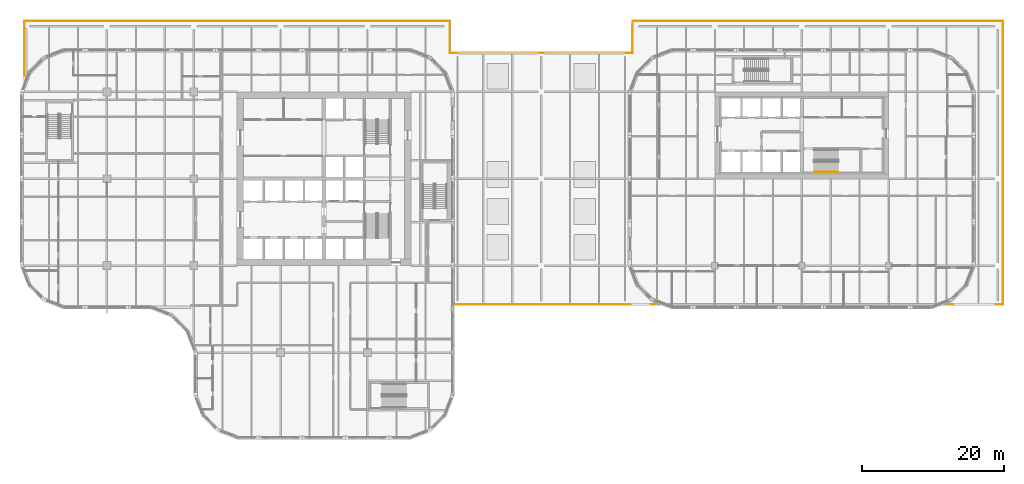
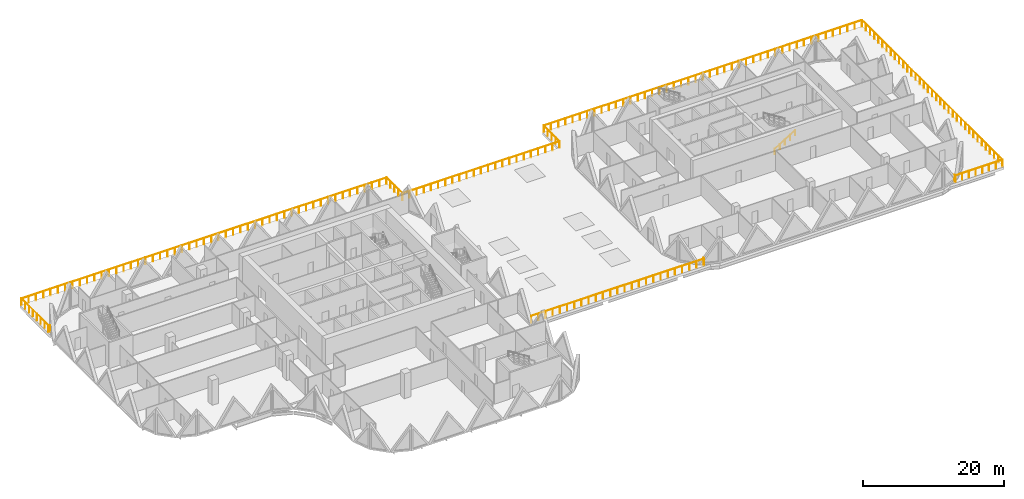
# One storey, part 20 of 21: 3 railings.
"""IFC4 building model written with IfcOpenShell, lengths in metres."""

from ifc_helpers import new_model, si_unit, direction, frame, origin, origin_2d, place, context, subcontext, project, spatial, circle, extrude, material, type_object, element, save


model = new_model("IFC4")

# Units and contexts
model_context = context("Model", 3, precision=1e-05, world=origin(), true_north=direction((0.0, 1.0)))
body_context = subcontext(model_context, "Body", "Model", "MODEL_VIEW")
ifc_project = project(units=[si_unit("LENGTHUNIT", "METRE"), si_unit("AREAUNIT", "SQUARE_METRE"), si_unit("VOLUMEUNIT", "CUBIC_METRE"), si_unit("PLANEANGLEUNIT", "RADIAN"), si_unit("MASSUNIT", "GRAM", prefix="KILO")], contexts=[model_context])

# Site, building, storey
site_placement = place(None, origin())
site = spatial("IfcSite", under=ifc_project, at=site_placement, CompositionType="ELEMENT")
building_placement = place(site_placement, origin())
building = spatial("IfcBuilding", under=site, at=building_placement, Name="Tessera Gate Towers", CompositionType="ELEMENT")
storey_placement = place(building_placement, frame((0.0, 0.0, 16.800048828125)))
storey = spatial("IfcBuildingStorey", under=building, at=storey_placement, Name="L03", CompositionType="ELEMENT", Elevation=16.800048828125)

# Railings
ifc_material_1 = material(Name="Stainless steel balustrade", Category="steel")
railing_type_1 = type_object("IfcRailingType", Name="GR1 guard rail", PredefinedType="GUARDRAIL", material=ifc_material_1)
railing_1_placement = place(storey_placement, frame((0.848388671875, 50.9990234375, 0.0)))
element("IfcRailing", 1, at=railing_1_placement, inside=storey, type_object=railing_type_1, Name="Guard PD GR-0001", PredefinedType="GUARDRAIL", context=body_context, shape_type="SweptSolid", body=[
    extrude(circle(Radius=0.02490234375, at=origin_2d()), frame((0.0, 0.0, 1.1748046875), z_axis=(-0.932841961035, 0.360285825049, 0.0), x_axis=(-0.360285825049, -0.932841961035, 0.0)), (0.0, 0.0, 1.0), 0.212890625),
    extrude(circle(Radius=0.02490234375, at=origin_2d()), frame((-0.198486328125, 0.07666015625, 1.1748046875), z_axis=(0.0, 1.0, 0.0), x_axis=(-1.0, 0.0, 0.0)), (0.0, 0.0, 1.0), 7.67431640625),
    extrude(circle(Radius=0.02490234375, at=origin_2d()), frame((-0.198486328125, 7.7509765625, 1.1748046875), z_axis=(1.0, 0.0, 0.0), x_axis=(0.0, 1.0, 0.0)), (0.0, 0.0, 1.0), 59.7001953125),
    extrude(circle(Radius=0.02490234375, at=origin_2d()), frame((59.501708984375, 7.7509765625, 1.1748046875), z_axis=(0.0, -1.0, 0.0), x_axis=(1.0, 0.0, 0.0)), (0.0, 0.0, 1.0), 4.48193359375),
    extrude(circle(Radius=0.02490234375, at=origin_2d()), frame((59.501708984375, 3.26904296875, 1.1748046875), z_axis=(0.999999752566, -0.000703468688, 0.0), x_axis=(0.000703468688, 0.999999752566, 0.0)), (0.0, 0.0, 1.0), 25.681884765625),
    extrude(circle(Radius=0.02490234375, at=origin_2d()), frame((85.18359375, 3.2509765625, 1.1748046875), z_axis=(0.004014724589, 0.999991940961, 0.0), x_axis=(-0.999991940961, 0.004014724589, 0.0)), (0.0, 0.0, 1.0), 4.5),
    extrude(circle(Radius=0.02490234375, at=origin_2d()), frame((85.20166015625, 7.7509765625, 1.1748046875), z_axis=(1.0, 0.0, 0.0), x_axis=(0.0, 1.0, 0.0)), (0.0, 0.0, 1.0), 52.0),
    extrude(circle(Radius=0.02490234375, at=origin_2d()), frame((137.20166015625, 7.7509765625, 1.1748046875), z_axis=(0.0, -1.0, 0.0), x_axis=(1.0, 0.0, 0.0)), (0.0, 0.0, 1.0), 39.800048828125),
    extrude(circle(Radius=0.02490234375, at=origin_2d()), frame((137.20166015625, -32.049072265625, 1.1748046875), z_axis=(-1.0, 0.0, 0.0), x_axis=(0.0, -1.0, 0.0)), (0.0, 0.0, 1.0), 7.67431640625),
    extrude(circle(Radius=0.02490234375, at=origin_2d()), frame((129.52734375, -32.049072265625, 1.1748046875), z_axis=(-0.360285825049, 0.932841961035, 0.0), x_axis=(-0.932841961035, -0.360285825049, 0.0)), (0.0, 0.0, 1.0), 0.212890625),
    extrude(circle(Radius=0.02490234375, at=origin_2d()), origin(), (0.0, 0.0, 1.0), 1.14990234375),
    extrude(circle(Radius=0.02490234375, at=origin_2d()), frame((-0.198486328125, 0.07666015625, 0.0)), (0.0, 0.0, 1.0), 1.14990234375),
    extrude(circle(Radius=0.02490234375, at=origin_2d()), frame((-0.198486328125, 1.173095703125, 0.0)), (0.0, 0.0, 1.0), 1.14990234375),
    extrude(circle(Radius=0.02490234375, at=origin_2d()), frame((-0.198486328125, 2.269287109375, 0.0)), (0.0, 0.0, 1.0), 1.14990234375),
    extrude(circle(Radius=0.02490234375, at=origin_2d()), frame((-0.198486328125, 3.36572265625, 0.0)), (0.0, 0.0, 1.0), 1.14990234375),
    extrude(circle(Radius=0.02490234375, at=origin_2d()), frame((-0.198486328125, 4.4619140625, 0.0)), (0.0, 0.0, 1.0), 1.14990234375),
    extrude(circle(Radius=0.02490234375, at=origin_2d()), frame((-0.198486328125, 5.558349609375, 0.0)), (0.0, 0.0, 1.0), 1.14990234375),
    extrude(circle(Radius=0.02490234375, at=origin_2d()), frame((-0.198486328125, 6.654541015625, 0.0)), (0.0, 0.0, 1.0), 1.14990234375),
    extrude(circle(Radius=0.02490234375, at=origin_2d()), frame((-0.198486328125, 7.7509765625, 0.0)), (0.0, 0.0, 1.0), 1.14990234375),
    extrude(circle(Radius=0.02490234375, at=origin_2d()), frame((0.99560546875, 7.7509765625, 0.0)), (0.0, 0.0, 1.0), 1.14990234375),
    extrude(circle(Radius=0.02490234375, at=origin_2d()), frame((2.189453125, 7.7509765625, 0.0)), (0.0, 0.0, 1.0), 1.14990234375),
    extrude(circle(Radius=0.02490234375, at=origin_2d()), frame((3.383544921875, 7.7509765625, 0.0)), (0.0, 0.0, 1.0), 1.14990234375),
    extrude(circle(Radius=0.02490234375, at=origin_2d()), frame((4.57763671875, 7.7509765625, 0.0)), (0.0, 0.0, 1.0), 1.14990234375),
    extrude(circle(Radius=0.02490234375, at=origin_2d()), frame((5.771484375, 7.7509765625, 0.0)), (0.0, 0.0, 1.0), 1.14990234375),
    extrude(circle(Radius=0.02490234375, at=origin_2d()), frame((6.965576171875, 7.7509765625, 0.0)), (0.0, 0.0, 1.0), 1.14990234375),
    extrude(circle(Radius=0.02490234375, at=origin_2d()), frame((8.159423828125, 7.7509765625, 0.0)), (0.0, 0.0, 1.0), 1.14990234375),
    extrude(circle(Radius=0.02490234375, at=origin_2d()), frame((9.353515625, 7.7509765625, 0.0)), (0.0, 0.0, 1.0), 1.14990234375),
    extrude(circle(Radius=0.02490234375, at=origin_2d()), frame((10.547607421875, 7.7509765625, 0.0)), (0.0, 0.0, 1.0), 1.14990234375),
    extrude(circle(Radius=0.02490234375, at=origin_2d()), frame((11.741455078125, 7.7509765625, 0.0)), (0.0, 0.0, 1.0), 1.14990234375),
    extrude(circle(Radius=0.02490234375, at=origin_2d()), frame((12.935546875, 7.7509765625, 0.0)), (0.0, 0.0, 1.0), 1.14990234375),
    extrude(circle(Radius=0.02490234375, at=origin_2d()), frame((14.129638671875, 7.7509765625, 0.0)), (0.0, 0.0, 1.0), 1.14990234375),
    extrude(circle(Radius=0.02490234375, at=origin_2d()), frame((15.323486328125, 7.7509765625, 0.0)), (0.0, 0.0, 1.0), 1.14990234375),
    extrude(circle(Radius=0.02490234375, at=origin_2d()), frame((16.517578125, 7.7509765625, 0.0)), (0.0, 0.0, 1.0), 1.14990234375),
    extrude(circle(Radius=0.02490234375, at=origin_2d()), frame((17.711669921875, 7.7509765625, 0.0)), (0.0, 0.0, 1.0), 1.14990234375),
    extrude(circle(Radius=0.02490234375, at=origin_2d()), frame((18.905517578125, 7.7509765625, 0.0)), (0.0, 0.0, 1.0), 1.14990234375),
    extrude(circle(Radius=0.02490234375, at=origin_2d()), frame((20.099609375, 7.7509765625, 0.0)), (0.0, 0.0, 1.0), 1.14990234375),
    extrude(circle(Radius=0.02490234375, at=origin_2d()), frame((21.293701171875, 7.7509765625, 0.0)), (0.0, 0.0, 1.0), 1.14990234375),
    extrude(circle(Radius=0.02490234375, at=origin_2d()), frame((22.487548828125, 7.7509765625, 0.0)), (0.0, 0.0, 1.0), 1.14990234375),
    extrude(circle(Radius=0.02490234375, at=origin_2d()), frame((23.681640625, 7.7509765625, 0.0)), (0.0, 0.0, 1.0), 1.14990234375),
    extrude(circle(Radius=0.02490234375, at=origin_2d()), frame((24.87548828125, 7.7509765625, 0.0)), (0.0, 0.0, 1.0), 1.14990234375),
    extrude(circle(Radius=0.02490234375, at=origin_2d()), frame((26.069580078125, 7.7509765625, 0.0)), (0.0, 0.0, 1.0), 1.14990234375),
    extrude(circle(Radius=0.02490234375, at=origin_2d()), frame((27.263671875, 7.7509765625, 0.0)), (0.0, 0.0, 1.0), 1.14990234375),
    extrude(circle(Radius=0.02490234375, at=origin_2d()), frame((28.45751953125, 7.7509765625, 0.0)), (0.0, 0.0, 1.0), 1.14990234375),
    extrude(circle(Radius=0.02490234375, at=origin_2d()), frame((29.651611328125, 7.7509765625, 0.0)), (0.0, 0.0, 1.0), 1.14990234375),
    extrude(circle(Radius=0.02490234375, at=origin_2d()), frame((30.845703125, 7.7509765625, 0.0)), (0.0, 0.0, 1.0), 1.14990234375),
    extrude(circle(Radius=0.02490234375, at=origin_2d()), frame((32.03955078125, 7.7509765625, 0.0)), (0.0, 0.0, 1.0), 1.14990234375),
    extrude(circle(Radius=0.02490234375, at=origin_2d()), frame((33.233642578125, 7.7509765625, 0.0)), (0.0, 0.0, 1.0), 1.14990234375),
    extrude(circle(Radius=0.02490234375, at=origin_2d()), frame((34.427734375, 7.7509765625, 0.0)), (0.0, 0.0, 1.0), 1.14990234375),
    extrude(circle(Radius=0.02490234375, at=origin_2d()), frame((35.62158203125, 7.7509765625, 0.0)), (0.0, 0.0, 1.0), 1.14990234375),
    extrude(circle(Radius=0.02490234375, at=origin_2d()), frame((36.815673828125, 7.7509765625, 0.0)), (0.0, 0.0, 1.0), 1.14990234375),
    extrude(circle(Radius=0.02490234375, at=origin_2d()), frame((38.009521484375, 7.7509765625, 0.0)), (0.0, 0.0, 1.0), 1.14990234375),
    extrude(circle(Radius=0.02490234375, at=origin_2d()), frame((39.20361328125, 7.7509765625, 0.0)), (0.0, 0.0, 1.0), 1.14990234375),
    extrude(circle(Radius=0.02490234375, at=origin_2d()), frame((40.397705078125, 7.7509765625, 0.0)), (0.0, 0.0, 1.0), 1.14990234375),
    extrude(circle(Radius=0.02490234375, at=origin_2d()), frame((41.591552734375, 7.7509765625, 0.0)), (0.0, 0.0, 1.0), 1.14990234375),
    extrude(circle(Radius=0.02490234375, at=origin_2d()), frame((42.78564453125, 7.7509765625, 0.0)), (0.0, 0.0, 1.0), 1.14990234375),
    extrude(circle(Radius=0.02490234375, at=origin_2d()), frame((43.979736328125, 7.7509765625, 0.0)), (0.0, 0.0, 1.0), 1.14990234375),
    extrude(circle(Radius=0.02490234375, at=origin_2d()), frame((45.173583984375, 7.7509765625, 0.0)), (0.0, 0.0, 1.0), 1.14990234375),
    extrude(circle(Radius=0.02490234375, at=origin_2d()), frame((46.36767578125, 7.7509765625, 0.0)), (0.0, 0.0, 1.0), 1.14990234375),
    extrude(circle(Radius=0.02490234375, at=origin_2d()), frame((47.561767578125, 7.7509765625, 0.0)), (0.0, 0.0, 1.0), 1.14990234375),
    extrude(circle(Radius=0.02490234375, at=origin_2d()), frame((48.755615234375, 7.7509765625, 0.0)), (0.0, 0.0, 1.0), 1.14990234375),
    extrude(circle(Radius=0.02490234375, at=origin_2d()), frame((49.94970703125, 7.7509765625, 0.0)), (0.0, 0.0, 1.0), 1.14990234375),
    extrude(circle(Radius=0.02490234375, at=origin_2d()), frame((51.143798828125, 7.7509765625, 0.0)), (0.0, 0.0, 1.0), 1.14990234375),
    extrude(circle(Radius=0.02490234375, at=origin_2d()), frame((52.337646484375, 7.7509765625, 0.0)), (0.0, 0.0, 1.0), 1.14990234375),
    extrude(circle(Radius=0.02490234375, at=origin_2d()), frame((53.53173828125, 7.7509765625, 0.0)), (0.0, 0.0, 1.0), 1.14990234375),
    extrude(circle(Radius=0.02490234375, at=origin_2d()), frame((54.7255859375, 7.7509765625, 0.0)), (0.0, 0.0, 1.0), 1.14990234375),
    extrude(circle(Radius=0.02490234375, at=origin_2d()), frame((55.919677734375, 7.7509765625, 0.0)), (0.0, 0.0, 1.0), 1.14990234375),
    extrude(circle(Radius=0.02490234375, at=origin_2d()), frame((57.11376953125, 7.7509765625, 0.0)), (0.0, 0.0, 1.0), 1.14990234375),
    extrude(circle(Radius=0.02490234375, at=origin_2d()), frame((58.3076171875, 7.7509765625, 0.0)), (0.0, 0.0, 1.0), 1.14990234375),
    extrude(circle(Radius=0.02490234375, at=origin_2d()), frame((59.501708984375, 7.7509765625, 0.0)), (0.0, 0.0, 1.0), 1.14990234375),
    extrude(circle(Radius=0.02490234375, at=origin_2d()), frame((59.501708984375, 6.63037109375, 0.0)), (0.0, 0.0, 1.0), 1.14990234375),
    extrude(circle(Radius=0.02490234375, at=origin_2d()), frame((59.501708984375, 5.510009765625, 0.0)), (0.0, 0.0, 1.0), 1.14990234375),
    extrude(circle(Radius=0.02490234375, at=origin_2d()), frame((59.501708984375, 4.3896484375, 0.0)), (0.0, 0.0, 1.0), 1.14990234375),
    extrude(circle(Radius=0.02490234375, at=origin_2d()), frame((59.501708984375, 3.26904296875, 0.0)), (0.0, 0.0, 1.0), 1.14990234375),
    extrude(circle(Radius=0.02490234375, at=origin_2d()), frame((60.6689453125, 3.268310546875, 0.0)), (0.0, 0.0, 1.0), 1.14990234375),
    extrude(circle(Radius=0.02490234375, at=origin_2d()), frame((61.83642578125, 3.267333984375, 0.0)), (0.0, 0.0, 1.0), 1.14990234375),
    extrude(circle(Radius=0.02490234375, at=origin_2d()), frame((63.00390625, 3.2666015625, 0.0)), (0.0, 0.0, 1.0), 1.14990234375),
    extrude(circle(Radius=0.02490234375, at=origin_2d()), frame((64.171142578125, 3.265869140625, 0.0)), (0.0, 0.0, 1.0), 1.14990234375),
    extrude(circle(Radius=0.02490234375, at=origin_2d()), frame((65.33837890625, 3.264892578125, 0.0)), (0.0, 0.0, 1.0), 1.14990234375),
    extrude(circle(Radius=0.02490234375, at=origin_2d()), frame((66.505859375, 3.26416015625, 0.0)), (0.0, 0.0, 1.0), 1.14990234375),
    extrude(circle(Radius=0.02490234375, at=origin_2d()), frame((67.67333984375, 3.26318359375, 0.0)), (0.0, 0.0, 1.0), 1.14990234375),
    extrude(circle(Radius=0.02490234375, at=origin_2d()), frame((68.840576171875, 3.262451171875, 0.0)), (0.0, 0.0, 1.0), 1.14990234375),
    extrude(circle(Radius=0.02490234375, at=origin_2d()), frame((70.0078125, 3.26171875, 0.0)), (0.0, 0.0, 1.0), 1.14990234375),
    extrude(circle(Radius=0.02490234375, at=origin_2d()), frame((71.17529296875, 3.2607421875, 0.0)), (0.0, 0.0, 1.0), 1.14990234375),
    extrude(circle(Radius=0.02490234375, at=origin_2d()), frame((72.3427734375, 3.260009765625, 0.0)), (0.0, 0.0, 1.0), 1.14990234375),
    extrude(circle(Radius=0.02490234375, at=origin_2d()), frame((73.510009765625, 3.25927734375, 0.0)), (0.0, 0.0, 1.0), 1.14990234375),
    extrude(circle(Radius=0.02490234375, at=origin_2d()), frame((74.67724609375, 3.25830078125, 0.0)), (0.0, 0.0, 1.0), 1.14990234375),
    extrude(circle(Radius=0.02490234375, at=origin_2d()), frame((75.8447265625, 3.257568359375, 0.0)), (0.0, 0.0, 1.0), 1.14990234375),
    extrude(circle(Radius=0.02490234375, at=origin_2d()), frame((77.01220703125, 3.2568359375, 0.0)), (0.0, 0.0, 1.0), 1.14990234375),
    extrude(circle(Radius=0.02490234375, at=origin_2d()), frame((78.179443359375, 3.255859375, 0.0)), (0.0, 0.0, 1.0), 1.14990234375),
    extrude(circle(Radius=0.02490234375, at=origin_2d()), frame((79.3466796875, 3.255126953125, 0.0)), (0.0, 0.0, 1.0), 1.14990234375),
    extrude(circle(Radius=0.02490234375, at=origin_2d()), frame((80.51416015625, 3.254150390625, 0.0)), (0.0, 0.0, 1.0), 1.14990234375),
    extrude(circle(Radius=0.02490234375, at=origin_2d()), frame((81.681640625, 3.25341796875, 0.0)), (0.0, 0.0, 1.0), 1.14990234375),
    extrude(circle(Radius=0.02490234375, at=origin_2d()), frame((82.848876953125, 3.252685546875, 0.0)), (0.0, 0.0, 1.0), 1.14990234375),
    extrude(circle(Radius=0.02490234375, at=origin_2d()), frame((84.01611328125, 3.251708984375, 0.0)), (0.0, 0.0, 1.0), 1.14990234375),
    extrude(circle(Radius=0.02490234375, at=origin_2d()), frame((85.18359375, 3.2509765625, 0.0)), (0.0, 0.0, 1.0), 1.14990234375),
    extrude(circle(Radius=0.02490234375, at=origin_2d()), frame((85.18798828125, 4.3759765625, 0.0)), (0.0, 0.0, 1.0), 1.14990234375),
    extrude(circle(Radius=0.02490234375, at=origin_2d()), frame((85.192626953125, 5.5009765625, 0.0)), (0.0, 0.0, 1.0), 1.14990234375),
    extrude(circle(Radius=0.02490234375, at=origin_2d()), frame((85.197265625, 6.6259765625, 0.0)), (0.0, 0.0, 1.0), 1.14990234375),
    extrude(circle(Radius=0.02490234375, at=origin_2d()), frame((85.20166015625, 7.7509765625, 0.0)), (0.0, 0.0, 1.0), 1.14990234375),
    extrude(circle(Radius=0.02490234375, at=origin_2d()), frame((86.383544921875, 7.7509765625, 0.0)), (0.0, 0.0, 1.0), 1.14990234375),
    extrude(circle(Radius=0.02490234375, at=origin_2d()), frame((87.565185546875, 7.7509765625, 0.0)), (0.0, 0.0, 1.0), 1.14990234375),
    extrude(circle(Radius=0.02490234375, at=origin_2d()), frame((88.7470703125, 7.7509765625, 0.0)), (0.0, 0.0, 1.0), 1.14990234375),
    extrude(circle(Radius=0.02490234375, at=origin_2d()), frame((89.928955078125, 7.7509765625, 0.0)), (0.0, 0.0, 1.0), 1.14990234375),
    extrude(circle(Radius=0.02490234375, at=origin_2d()), frame((91.11083984375, 7.7509765625, 0.0)), (0.0, 0.0, 1.0), 1.14990234375),
    extrude(circle(Radius=0.02490234375, at=origin_2d()), frame((92.29248046875, 7.7509765625, 0.0)), (0.0, 0.0, 1.0), 1.14990234375),
    extrude(circle(Radius=0.02490234375, at=origin_2d()), frame((93.474365234375, 7.7509765625, 0.0)), (0.0, 0.0, 1.0), 1.14990234375),
    extrude(circle(Radius=0.02490234375, at=origin_2d()), frame((94.65625, 7.7509765625, 0.0)), (0.0, 0.0, 1.0), 1.14990234375),
    extrude(circle(Radius=0.02490234375, at=origin_2d()), frame((95.838134765625, 7.7509765625, 0.0)), (0.0, 0.0, 1.0), 1.14990234375),
    extrude(circle(Radius=0.02490234375, at=origin_2d()), frame((97.019775390625, 7.7509765625, 0.0)), (0.0, 0.0, 1.0), 1.14990234375),
    extrude(circle(Radius=0.02490234375, at=origin_2d()), frame((98.20166015625, 7.7509765625, 0.0)), (0.0, 0.0, 1.0), 1.14990234375),
    extrude(circle(Radius=0.02490234375, at=origin_2d()), frame((99.383544921875, 7.7509765625, 0.0)), (0.0, 0.0, 1.0), 1.14990234375),
    extrude(circle(Radius=0.02490234375, at=origin_2d()), frame((100.565185546875, 7.7509765625, 0.0)), (0.0, 0.0, 1.0), 1.14990234375),
    extrude(circle(Radius=0.02490234375, at=origin_2d()), frame((101.7470703125, 7.7509765625, 0.0)), (0.0, 0.0, 1.0), 1.14990234375),
    extrude(circle(Radius=0.02490234375, at=origin_2d()), frame((102.928955078125, 7.7509765625, 0.0)), (0.0, 0.0, 1.0), 1.14990234375),
    extrude(circle(Radius=0.02490234375, at=origin_2d()), frame((104.11083984375, 7.7509765625, 0.0)), (0.0, 0.0, 1.0), 1.14990234375),
    extrude(circle(Radius=0.02490234375, at=origin_2d()), frame((105.29248046875, 7.7509765625, 0.0)), (0.0, 0.0, 1.0), 1.14990234375),
    extrude(circle(Radius=0.02490234375, at=origin_2d()), frame((106.474365234375, 7.7509765625, 0.0)), (0.0, 0.0, 1.0), 1.14990234375),
    extrude(circle(Radius=0.02490234375, at=origin_2d()), frame((107.65625, 7.7509765625, 0.0)), (0.0, 0.0, 1.0), 1.14990234375),
    extrude(circle(Radius=0.02490234375, at=origin_2d()), frame((108.838134765625, 7.7509765625, 0.0)), (0.0, 0.0, 1.0), 1.14990234375),
    extrude(circle(Radius=0.02490234375, at=origin_2d()), frame((110.019775390625, 7.7509765625, 0.0)), (0.0, 0.0, 1.0), 1.14990234375),
    extrude(circle(Radius=0.02490234375, at=origin_2d()), frame((111.20166015625, 7.7509765625, 0.0)), (0.0, 0.0, 1.0), 1.14990234375),
    extrude(circle(Radius=0.02490234375, at=origin_2d()), frame((112.383544921875, 7.7509765625, 0.0)), (0.0, 0.0, 1.0), 1.14990234375),
    extrude(circle(Radius=0.02490234375, at=origin_2d()), frame((113.565185546875, 7.7509765625, 0.0)), (0.0, 0.0, 1.0), 1.14990234375),
    extrude(circle(Radius=0.02490234375, at=origin_2d()), frame((114.7470703125, 7.7509765625, 0.0)), (0.0, 0.0, 1.0), 1.14990234375),
    extrude(circle(Radius=0.02490234375, at=origin_2d()), frame((115.928955078125, 7.7509765625, 0.0)), (0.0, 0.0, 1.0), 1.14990234375),
    extrude(circle(Radius=0.02490234375, at=origin_2d()), frame((117.11083984375, 7.7509765625, 0.0)), (0.0, 0.0, 1.0), 1.14990234375),
    extrude(circle(Radius=0.02490234375, at=origin_2d()), frame((118.29248046875, 7.7509765625, 0.0)), (0.0, 0.0, 1.0), 1.14990234375),
    extrude(circle(Radius=0.02490234375, at=origin_2d()), frame((119.474365234375, 7.7509765625, 0.0)), (0.0, 0.0, 1.0), 1.14990234375),
    extrude(circle(Radius=0.02490234375, at=origin_2d()), frame((120.65625, 7.7509765625, 0.0)), (0.0, 0.0, 1.0), 1.14990234375),
    extrude(circle(Radius=0.02490234375, at=origin_2d()), frame((121.838134765625, 7.7509765625, 0.0)), (0.0, 0.0, 1.0), 1.14990234375),
    extrude(circle(Radius=0.02490234375, at=origin_2d()), frame((123.019775390625, 7.7509765625, 0.0)), (0.0, 0.0, 1.0), 1.14990234375),
    extrude(circle(Radius=0.02490234375, at=origin_2d()), frame((124.20166015625, 7.7509765625, 0.0)), (0.0, 0.0, 1.0), 1.14990234375),
    extrude(circle(Radius=0.02490234375, at=origin_2d()), frame((125.383544921875, 7.7509765625, 0.0)), (0.0, 0.0, 1.0), 1.14990234375),
    extrude(circle(Radius=0.02490234375, at=origin_2d()), frame((126.565185546875, 7.7509765625, 0.0)), (0.0, 0.0, 1.0), 1.14990234375),
    extrude(circle(Radius=0.02490234375, at=origin_2d()), frame((127.7470703125, 7.7509765625, 0.0)), (0.0, 0.0, 1.0), 1.14990234375),
    extrude(circle(Radius=0.02490234375, at=origin_2d()), frame((128.928955078125, 7.7509765625, 0.0)), (0.0, 0.0, 1.0), 1.14990234375),
    extrude(circle(Radius=0.02490234375, at=origin_2d()), frame((130.11083984375, 7.7509765625, 0.0)), (0.0, 0.0, 1.0), 1.14990234375),
    extrude(circle(Radius=0.02490234375, at=origin_2d()), frame((131.29248046875, 7.7509765625, 0.0)), (0.0, 0.0, 1.0), 1.14990234375),
    extrude(circle(Radius=0.02490234375, at=origin_2d()), frame((132.474365234375, 7.7509765625, 0.0)), (0.0, 0.0, 1.0), 1.14990234375),
    extrude(circle(Radius=0.02490234375, at=origin_2d()), frame((133.65625, 7.7509765625, 0.0)), (0.0, 0.0, 1.0), 1.14990234375),
    extrude(circle(Radius=0.02490234375, at=origin_2d()), frame((134.838134765625, 7.7509765625, 0.0)), (0.0, 0.0, 1.0), 1.14990234375),
    extrude(circle(Radius=0.02490234375, at=origin_2d()), frame((136.019775390625, 7.7509765625, 0.0)), (0.0, 0.0, 1.0), 1.14990234375),
    extrude(circle(Radius=0.02490234375, at=origin_2d()), frame((137.20166015625, 7.7509765625, 0.0)), (0.0, 0.0, 1.0), 1.14990234375),
    extrude(circle(Radius=0.02490234375, at=origin_2d()), frame((137.20166015625, 6.580322265625, 0.0)), (0.0, 0.0, 1.0), 1.14990234375),
    extrude(circle(Radius=0.02490234375, at=origin_2d()), frame((137.20166015625, 5.409912109375, 0.0)), (0.0, 0.0, 1.0), 1.14990234375),
    extrude(circle(Radius=0.02490234375, at=origin_2d()), frame((137.20166015625, 4.2392578125, 0.0)), (0.0, 0.0, 1.0), 1.14990234375),
    extrude(circle(Radius=0.02490234375, at=origin_2d()), frame((137.20166015625, 3.068603515625, 0.0)), (0.0, 0.0, 1.0), 1.14990234375),
    extrude(circle(Radius=0.02490234375, at=origin_2d()), frame((137.20166015625, 1.89794921875, 0.0)), (0.0, 0.0, 1.0), 1.14990234375),
    extrude(circle(Radius=0.02490234375, at=origin_2d()), frame((137.20166015625, 0.7275390625, 0.0)), (0.0, 0.0, 1.0), 1.14990234375),
    extrude(circle(Radius=0.02490234375, at=origin_2d()), frame((137.20166015625, -0.443115234375, 0.0)), (0.0, 0.0, 1.0), 1.14990234375),
    extrude(circle(Radius=0.02490234375, at=origin_2d()), frame((137.20166015625, -1.61376953125, 0.0)), (0.0, 0.0, 1.0), 1.14990234375),
    extrude(circle(Radius=0.02490234375, at=origin_2d()), frame((137.20166015625, -2.784423828125, 0.0)), (0.0, 0.0, 1.0), 1.14990234375),
    extrude(circle(Radius=0.02490234375, at=origin_2d()), frame((137.20166015625, -3.954833984375, 0.0)), (0.0, 0.0, 1.0), 1.14990234375),
    extrude(circle(Radius=0.02490234375, at=origin_2d()), frame((137.20166015625, -5.12548828125, 0.0)), (0.0, 0.0, 1.0), 1.14990234375),
    extrude(circle(Radius=0.02490234375, at=origin_2d()), frame((137.20166015625, -6.296142578125, 0.0)), (0.0, 0.0, 1.0), 1.14990234375),
    extrude(circle(Radius=0.02490234375, at=origin_2d()), frame((137.20166015625, -7.466796875, 0.0)), (0.0, 0.0, 1.0), 1.14990234375),
    extrude(circle(Radius=0.02490234375, at=origin_2d()), frame((137.20166015625, -8.63720703125, 0.0)), (0.0, 0.0, 1.0), 1.14990234375),
    extrude(circle(Radius=0.02490234375, at=origin_2d()), frame((137.20166015625, -9.807861328125, 0.0)), (0.0, 0.0, 1.0), 1.14990234375),
    extrude(circle(Radius=0.02490234375, at=origin_2d()), frame((137.20166015625, -10.978515625, 0.0)), (0.0, 0.0, 1.0), 1.14990234375),
    extrude(circle(Radius=0.02490234375, at=origin_2d()), frame((137.20166015625, -12.14892578125, 0.0)), (0.0, 0.0, 1.0), 1.14990234375),
    extrude(circle(Radius=0.02490234375, at=origin_2d()), frame((137.20166015625, -13.319580078125, 0.0)), (0.0, 0.0, 1.0), 1.14990234375),
    extrude(circle(Radius=0.02490234375, at=origin_2d()), frame((137.20166015625, -14.490234375, 0.0)), (0.0, 0.0, 1.0), 1.14990234375),
    extrude(circle(Radius=0.02490234375, at=origin_2d()), frame((137.20166015625, -15.660888671875, 0.0)), (0.0, 0.0, 1.0), 1.14990234375),
    extrude(circle(Radius=0.02490234375, at=origin_2d()), frame((137.20166015625, -16.831298828125, 0.0)), (0.0, 0.0, 1.0), 1.14990234375),
    extrude(circle(Radius=0.02490234375, at=origin_2d()), frame((137.20166015625, -18.001953125, 0.0)), (0.0, 0.0, 1.0), 1.14990234375),
    extrude(circle(Radius=0.02490234375, at=origin_2d()), frame((137.20166015625, -19.172607421875, 0.0)), (0.0, 0.0, 1.0), 1.14990234375),
    extrude(circle(Radius=0.02490234375, at=origin_2d()), frame((137.20166015625, -20.34326171875, 0.0)), (0.0, 0.0, 1.0), 1.14990234375),
    extrude(circle(Radius=0.02490234375, at=origin_2d()), frame((137.20166015625, -21.513671875, 0.0)), (0.0, 0.0, 1.0), 1.14990234375),
    extrude(circle(Radius=0.02490234375, at=origin_2d()), frame((137.20166015625, -22.684326171875, 0.0)), (0.0, 0.0, 1.0), 1.14990234375),
    extrude(circle(Radius=0.02490234375, at=origin_2d()), frame((137.20166015625, -23.85498046875, 0.0)), (0.0, 0.0, 1.0), 1.14990234375),
    extrude(circle(Radius=0.02490234375, at=origin_2d()), frame((137.20166015625, -25.025634765625, 0.0)), (0.0, 0.0, 1.0), 1.14990234375),
    extrude(circle(Radius=0.02490234375, at=origin_2d()), frame((137.20166015625, -26.196044921875, 0.0)), (0.0, 0.0, 1.0), 1.14990234375),
    extrude(circle(Radius=0.02490234375, at=origin_2d()), frame((137.20166015625, -27.36669921875, 0.0)), (0.0, 0.0, 1.0), 1.14990234375),
    extrude(circle(Radius=0.02490234375, at=origin_2d()), frame((137.20166015625, -28.537353515625, 0.0)), (0.0, 0.0, 1.0), 1.14990234375),
    extrude(circle(Radius=0.02490234375, at=origin_2d()), frame((137.20166015625, -29.7080078125, 0.0)), (0.0, 0.0, 1.0), 1.14990234375),
    extrude(circle(Radius=0.02490234375, at=origin_2d()), frame((137.20166015625, -30.87841796875, 0.0)), (0.0, 0.0, 1.0), 1.14990234375),
    extrude(circle(Radius=0.02490234375, at=origin_2d()), frame((137.20166015625, -32.049072265625, 0.0)), (0.0, 0.0, 1.0), 1.14990234375),
    extrude(circle(Radius=0.02490234375, at=origin_2d()), frame((136.105224609375, -32.049072265625, 0.0)), (0.0, 0.0, 1.0), 1.14990234375),
    extrude(circle(Radius=0.02490234375, at=origin_2d()), frame((135.009033203125, -32.049072265625, 0.0)), (0.0, 0.0, 1.0), 1.14990234375),
    extrude(circle(Radius=0.02490234375, at=origin_2d()), frame((133.91259765625, -32.049072265625, 0.0)), (0.0, 0.0, 1.0), 1.14990234375),
    extrude(circle(Radius=0.02490234375, at=origin_2d()), frame((132.81640625, -32.049072265625, 0.0)), (0.0, 0.0, 1.0), 1.14990234375),
    extrude(circle(Radius=0.02490234375, at=origin_2d()), frame((131.719970703125, -32.049072265625, 0.0)), (0.0, 0.0, 1.0), 1.14990234375),
    extrude(circle(Radius=0.02490234375, at=origin_2d()), frame((130.623779296875, -32.049072265625, 0.0)), (0.0, 0.0, 1.0), 1.14990234375),
    extrude(circle(Radius=0.02490234375, at=origin_2d()), frame((129.52734375, -32.049072265625, 0.0)), (0.0, 0.0, 1.0), 1.14990234375),
    extrude(circle(Radius=0.02490234375, at=origin_2d()), frame((129.45068359375, -31.8505859375, 0.0)), (0.0, 0.0, 1.0), 1.14990234375),
])
railing_2_placement = place(storey_placement, frame((89.30078125, 19.1484375, 0.0)))
element("IfcRailing", 2, at=railing_2_placement, inside=storey, type_object=railing_type_1, Name="Guard PD GR-0002", PredefinedType="GUARDRAIL", context=body_context, shape_type="SweptSolid", body=[
    extrude(circle(Radius=0.02490234375, at=origin_2d()), frame((0.0, 0.0, 1.1748046875), z_axis=(-0.359286739235, -0.933227217247, 0.0), x_axis=(0.933227217247, -0.359286739235, 0.0)), (0.0, 0.0, 1.0), 0.212646484375),
    extrude(circle(Radius=0.02490234375, at=origin_2d()), frame((-0.076416015625, -0.198486328125, 1.1748046875), z_axis=(-1.0, 0.0, 0.0), x_axis=(0.0, -1.0, 0.0)), (0.0, 0.0, 1.0), 28.224365234375),
    extrude(circle(Radius=0.02490234375, at=origin_2d()), origin(), (0.0, 0.0, 1.0), 1.14990234375),
    extrude(circle(Radius=0.02490234375, at=origin_2d()), frame((-0.076416015625, -0.198486328125, 0.0)), (0.0, 0.0, 1.0), 1.14990234375),
    extrude(circle(Radius=0.02490234375, at=origin_2d()), frame((-1.25244140625, -0.198486328125, 0.0)), (0.0, 0.0, 1.0), 1.14990234375),
    extrude(circle(Radius=0.02490234375, at=origin_2d()), frame((-2.428466796875, -0.198486328125, 0.0)), (0.0, 0.0, 1.0), 1.14990234375),
    extrude(circle(Radius=0.02490234375, at=origin_2d()), frame((-3.6044921875, -0.198486328125, 0.0)), (0.0, 0.0, 1.0), 1.14990234375),
    extrude(circle(Radius=0.02490234375, at=origin_2d()), frame((-4.780517578125, -0.198486328125, 0.0)), (0.0, 0.0, 1.0), 1.14990234375),
    extrude(circle(Radius=0.02490234375, at=origin_2d()), frame((-5.95654296875, -0.198486328125, 0.0)), (0.0, 0.0, 1.0), 1.14990234375),
    extrude(circle(Radius=0.02490234375, at=origin_2d()), frame((-7.132568359375, -0.198486328125, 0.0)), (0.0, 0.0, 1.0), 1.14990234375),
    extrude(circle(Radius=0.02490234375, at=origin_2d()), frame((-8.30859375, -0.198486328125, 0.0)), (0.0, 0.0, 1.0), 1.14990234375),
    extrude(circle(Radius=0.02490234375, at=origin_2d()), frame((-9.484619140625, -0.198486328125, 0.0)), (0.0, 0.0, 1.0), 1.14990234375),
    extrude(circle(Radius=0.02490234375, at=origin_2d()), frame((-10.66064453125, -0.198486328125, 0.0)), (0.0, 0.0, 1.0), 1.14990234375),
    extrude(circle(Radius=0.02490234375, at=origin_2d()), frame((-11.836669921875, -0.198486328125, 0.0)), (0.0, 0.0, 1.0), 1.14990234375),
    extrude(circle(Radius=0.02490234375, at=origin_2d()), frame((-13.0126953125, -0.198486328125, 0.0)), (0.0, 0.0, 1.0), 1.14990234375),
    extrude(circle(Radius=0.02490234375, at=origin_2d()), frame((-14.1884765625, -0.198486328125, 0.0)), (0.0, 0.0, 1.0), 1.14990234375),
    extrude(circle(Radius=0.02490234375, at=origin_2d()), frame((-15.364501953125, -0.198486328125, 0.0)), (0.0, 0.0, 1.0), 1.14990234375),
    extrude(circle(Radius=0.02490234375, at=origin_2d()), frame((-16.54052734375, -0.198486328125, 0.0)), (0.0, 0.0, 1.0), 1.14990234375),
    extrude(circle(Radius=0.02490234375, at=origin_2d()), frame((-17.716552734375, -0.198486328125, 0.0)), (0.0, 0.0, 1.0), 1.14990234375),
    extrude(circle(Radius=0.02490234375, at=origin_2d()), frame((-18.892578125, -0.198486328125, 0.0)), (0.0, 0.0, 1.0), 1.14990234375),
    extrude(circle(Radius=0.02490234375, at=origin_2d()), frame((-20.068603515625, -0.198486328125, 0.0)), (0.0, 0.0, 1.0), 1.14990234375),
    extrude(circle(Radius=0.02490234375, at=origin_2d()), frame((-21.24462890625, -0.198486328125, 0.0)), (0.0, 0.0, 1.0), 1.14990234375),
    extrude(circle(Radius=0.02490234375, at=origin_2d()), frame((-22.420654296875, -0.198486328125, 0.0)), (0.0, 0.0, 1.0), 1.14990234375),
    extrude(circle(Radius=0.02490234375, at=origin_2d()), frame((-23.5966796875, -0.198486328125, 0.0)), (0.0, 0.0, 1.0), 1.14990234375),
    extrude(circle(Radius=0.02490234375, at=origin_2d()), frame((-24.772705078125, -0.198486328125, 0.0)), (0.0, 0.0, 1.0), 1.14990234375),
    extrude(circle(Radius=0.02490234375, at=origin_2d()), frame((-25.94873046875, -0.198486328125, 0.0)), (0.0, 0.0, 1.0), 1.14990234375),
    extrude(circle(Radius=0.02490234375, at=origin_2d()), frame((-27.124755859375, -0.198486328125, 0.0)), (0.0, 0.0, 1.0), 1.14990234375),
    extrude(circle(Radius=0.02490234375, at=origin_2d()), frame((-28.30078125, -0.198486328125, 0.0)), (0.0, 0.0, 1.0), 1.14990234375),
])
ifc_material_2 = material(Name="Steel 350W", Category="steel")
railing_type_2 = type_object("IfcRailingType", Name="STAIR HANDRAIL 900", PredefinedType="HANDRAIL", material=ifc_material_2)
railing_3_placement = place(storey_placement, frame((111.550048828125, 37.550048828125, 0.173095703125)))
element("IfcRailing", 3, at=railing_3_placement, inside=storey, type_object=railing_type_2, Name="L03 ST6 stair handrail 1", PredefinedType="HANDRAIL", context=body_context, shape_type="SweptSolid", body=[
    extrude(circle(Radius=0.02392578125, at=origin_2d()), frame((0.0, 0.0, 0.8759765625), z_axis=(0.850606129759, 0.0, 0.525803396734), x_axis=(0.0, 1.0, 0.0)), (0.0, 0.0, 1.0), 3.949951171875),
    extrude(circle(Radius=0.02099609375, at=origin_2d()), origin(), (0.0, 0.0, 1.0), 0.851806640625),
    extrude(circle(Radius=0.02099609375, at=origin_2d()), frame((0.83984375, 0.0, 0.519287109375)), (0.0, 0.0, 1.0), 0.851806640625),
    extrude(circle(Radius=0.02099609375, at=origin_2d()), frame((1.679931640625, 0.0, 1.03857421875)), (0.0, 0.0, 1.0), 0.851806640625),
    extrude(circle(Radius=0.02099609375, at=origin_2d()), frame((2.52001953125, 0.0, 1.5576171875)), (0.0, 0.0, 1.0), 0.851806640625),
    extrude(circle(Radius=0.02099609375, at=origin_2d()), frame((3.35986328125, 0.0, 2.076904296875)), (0.0, 0.0, 1.0), 0.851806640625),
])

save(model, "model.ifc")
